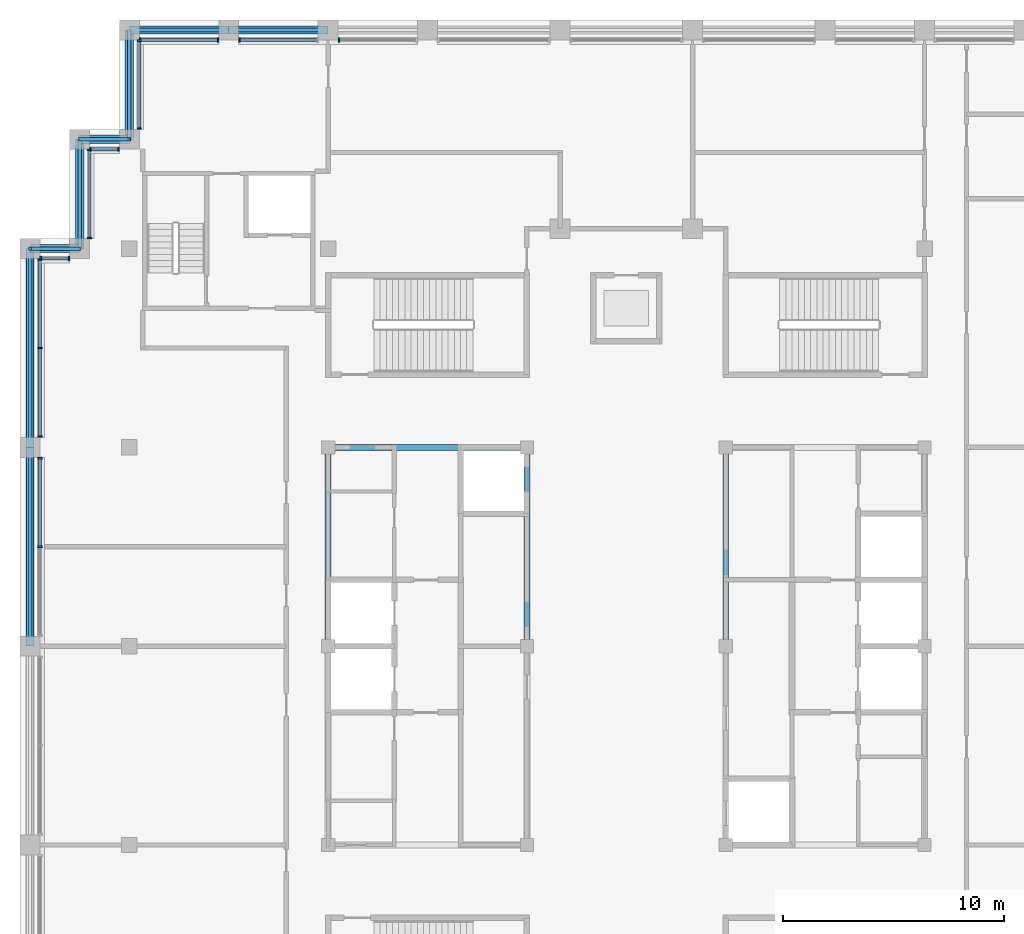
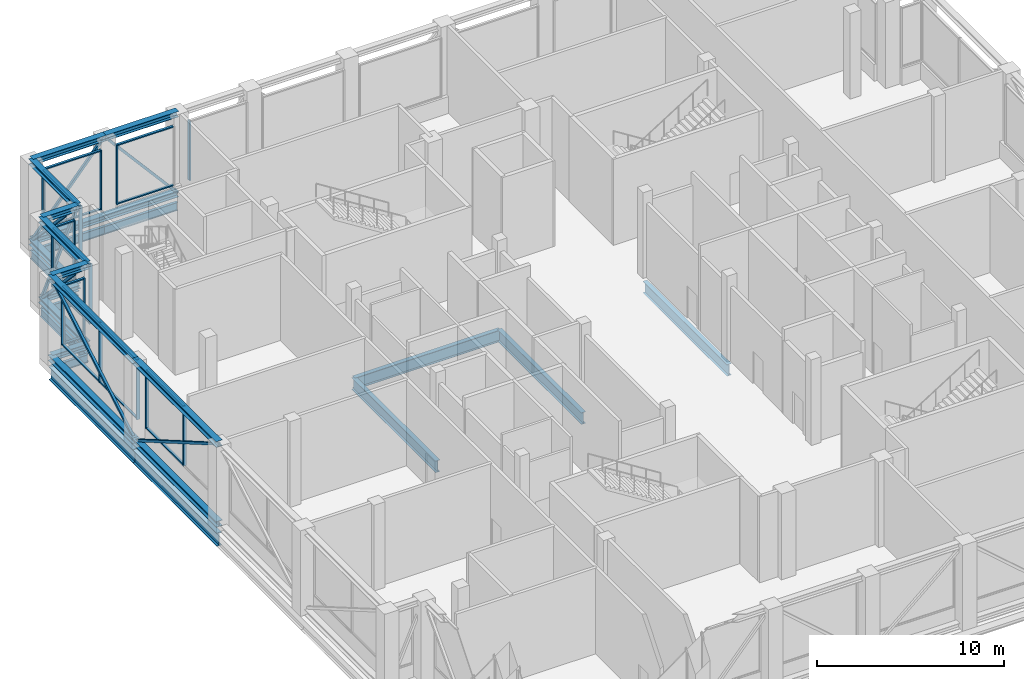
# One storey, part 6 of 17: 59 members, 12 beams, 9 elements without a shape of their own.
"""IFC4 building model written with IfcOpenShell, lengths in metres."""

from ifc_helpers import new_model, si_unit, direction, frame, origin, origin_2d, place, context, subcontext, project, spatial, rectangle, hollow_rectangle, i_section, extrude, material, layer, layer_set, material_profile, profile_set, type_object, element, aggregate, save


model = new_model("IFC4")

# Units and contexts
model_context = context("Model", 3, precision=1e-05, world=origin(), true_north=direction((0.0, 1.0)))
body_context = subcontext(model_context, "Body", "Model", "MODEL_VIEW")
ifc_project = project(units=[si_unit("LENGTHUNIT", "METRE"), si_unit("AREAUNIT", "SQUARE_METRE"), si_unit("VOLUMEUNIT", "CUBIC_METRE"), si_unit("PLANEANGLEUNIT", "RADIAN"), si_unit("MASSUNIT", "GRAM", prefix="KILO")], contexts=[model_context])

# Site, building, storey
site_placement = place(None, origin())
site = spatial("IfcSite", under=ifc_project, at=site_placement, CompositionType="ELEMENT")
building_placement = place(site_placement, origin())
building = spatial("IfcBuilding", under=site, at=building_placement, Name="Corbelhall Arena Tower", CompositionType="ELEMENT")
storey_placement = place(building_placement, frame((0.0, 0.0, 350.0)))
storey = spatial("IfcBuildingStorey", under=building, at=storey_placement, Name="L77", CompositionType="ELEMENT", Elevation=350.0)

# Curtain wall, members
ifc_material_1 = material(Name="Aluminium black anodised", Category="aluminium")
ifc_layer = layer(ifc_material_1, 0.199951171875)
ifc_layer_set = layer_set([ifc_layer], Name="EV-CW5 Sky band glazing")
curtain_wall_type = type_object("IfcCurtainWallType", Name="EV-CW5 Sky band glazing", PredefinedType="NOTDEFINED", material=ifc_layer_set)
curtain_wall_1_placement = place(storey_placement, origin())
curtain_wall_1 = element("IfcCurtainWall", 1, at=curtain_wall_1_placement, inside=storey, type_object=curtain_wall_type, Name="Curtain wall CW5B", PredefinedType="NOTDEFINED")
ifc_material_profile_1 = material_profile(ifc_material_1, rectangle(XDim=0.199951171875, YDim=0.074951171875, at=origin_2d()))
ifc_profile_set_1 = profile_set([ifc_material_profile_1], Name="Aluminium black anodised")
member_type_1 = type_object("IfcMemberType", Name="EV-CW5-MULLION", PredefinedType="MULLION", material=ifc_profile_set_1)
member_1_placement = place(storey_placement, frame((-25.237548828125, 17.550048828125, 1.10009765625), z_axis=(0.0, 0.0, 1.0), x_axis=(0.0, -1.0, 0.0)))
member_1 = element("IfcMember", 2, at=member_1_placement, type_object=member_type_1, Name="CW5B mullion 1", PredefinedType="MULLION", context=body_context, shape_type="SweptSolid", body=[
    extrude(rectangle(XDim=0.199951171875, YDim=0.074951171875, at=origin_2d()), origin(), (0.0, 0.0, 1.0), 3.8994140625),
])
member_2_placement = place(storey_placement, frame((-26.512451171875, 17.550048828125, 1.10009765625), z_axis=(0.0, 0.0, 1.0), x_axis=(0.0, -1.0, 0.0)))
member_2 = element("IfcMember", 3, at=member_2_placement, type_object=member_type_1, Name="CW5B mullion 2", PredefinedType="MULLION", context=body_context, shape_type="SweptSolid", body=[
    extrude(rectangle(XDim=0.199951171875, YDim=0.074951171875, at=origin_2d()), origin(), (0.0, 0.0, 1.0), 3.8994140625),
])

curtain_wall_2_placement = place(storey_placement, origin())
curtain_wall_2 = element("IfcCurtainWall", 4, at=curtain_wall_2_placement, inside=storey, type_object=curtain_wall_type, Name="Curtain wall CW5", PredefinedType="NOTDEFINED")
member_3_placement = place(storey_placement, frame((-26.550048828125, 17.512451171875, 1.10009765625), z_axis=(0.0, 0.0, 1.0), x_axis=(1.0, 0.0, 0.0)))
member_3 = element("IfcMember", 5, at=member_3_placement, type_object=member_type_1, Name="CW5 mullion 1", PredefinedType="MULLION", context=body_context, shape_type="SweptSolid", body=[
    extrude(rectangle(XDim=0.199951171875, YDim=0.074951171875, at=origin_2d()), origin(), (0.0, 0.0, 1.0), 3.8994140625),
])
member_4_placement = place(storey_placement, frame((-26.550048828125, 13.5, 1.10009765625), z_axis=(0.0, 0.0, 1.0), x_axis=(1.0, 0.0, 0.0)))
member_4 = element("IfcMember", 6, at=member_4_placement, type_object=member_type_1, Name="CW5 mullion 2", PredefinedType="MULLION", context=body_context, shape_type="SweptSolid", body=[
    extrude(rectangle(XDim=0.199951171875, YDim=0.074951171875, at=origin_2d()), origin(), (0.0, 0.0, 1.0), 3.8994140625),
])
member_5_placement = place(storey_placement, frame((-26.550048828125, 9.487548828125, 1.10009765625), z_axis=(0.0, 0.0, 1.0), x_axis=(1.0, 0.0, 0.0)))
member_5 = element("IfcMember", 7, at=member_5_placement, type_object=member_type_1, Name="CW5 mullion 3", PredefinedType="MULLION", context=body_context, shape_type="SweptSolid", body=[
    extrude(rectangle(XDim=0.199951171875, YDim=0.074951171875, at=origin_2d()), origin(), (0.0, 0.0, 1.0), 3.8994140625),
])

curtain_wall_3_placement = place(storey_placement, origin())
curtain_wall_3 = element("IfcCurtainWall", 8, at=curtain_wall_3_placement, inside=storey, type_object=curtain_wall_type, Name="Curtain wall CW5", PredefinedType="NOTDEFINED")
member_6_placement = place(storey_placement, frame((-26.550048828125, 8.512451171875, 1.10009765625), z_axis=(0.0, 0.0, 1.0), x_axis=(1.0, 0.0, 0.0)))
member_6 = element("IfcMember", 9, at=member_6_placement, type_object=member_type_1, Name="CW5 mullion 1", PredefinedType="MULLION", context=body_context, shape_type="SweptSolid", body=[
    extrude(rectangle(XDim=0.199951171875, YDim=0.074951171875, at=origin_2d()), origin(), (0.0, 0.0, 1.0), 3.8994140625),
])
member_7_placement = place(storey_placement, frame((-26.550048828125, 4.5, 1.10009765625), z_axis=(0.0, 0.0, 1.0), x_axis=(1.0, 0.0, 0.0)))
member_7 = element("IfcMember", 10, at=member_7_placement, type_object=member_type_1, Name="CW5 mullion 2", PredefinedType="MULLION", context=body_context, shape_type="SweptSolid", body=[
    extrude(rectangle(XDim=0.199951171875, YDim=0.074951171875, at=origin_2d()), origin(), (0.0, 0.0, 1.0), 3.8994140625),
])

# Curtain wall, member
curtain_wall_4_placement = place(storey_placement, origin())
curtain_wall_4 = element("IfcCurtainWall", 11, at=curtain_wall_4_placement, inside=storey, type_object=curtain_wall_type, Name="Curtain wall CW5A", PredefinedType="NOTDEFINED")
member_8_placement = place(storey_placement, frame((-13.012451171875, 27.449951171875, 1.10009765625), z_axis=(0.0, 0.0, 1.0), x_axis=(0.0, -1.0, 0.0)))
member_8 = element("IfcMember", 12, at=member_8_placement, type_object=member_type_1, Name="CW5A mullion 2", PredefinedType="MULLION", context=body_context, shape_type="SweptSolid", body=[
    extrude(rectangle(XDim=0.199951171875, YDim=0.074951171875, at=origin_2d()), origin(), (0.0, 0.0, 1.0), 3.8994140625),
])
aggregate(curtain_wall_4, [member_8])

curtain_wall_5_placement = place(storey_placement, origin())
curtain_wall_5 = element("IfcCurtainWall", 13, at=curtain_wall_5_placement, inside=storey, type_object=curtain_wall_type, Name="Curtain wall CW5A", PredefinedType="NOTDEFINED")
member_9_placement = place(storey_placement, frame((-17.512451171875, 27.449951171875, 1.10009765625), z_axis=(0.0, 0.0, 1.0), x_axis=(0.0, -1.0, 0.0)))
member_9 = element("IfcMember", 14, at=member_9_placement, type_object=member_type_1, Name="CW5A mullion 2", PredefinedType="MULLION", context=body_context, shape_type="SweptSolid", body=[
    extrude(rectangle(XDim=0.199951171875, YDim=0.074951171875, at=origin_2d()), origin(), (0.0, 0.0, 1.0), 3.8994140625),
])

# Curtain wall, members
curtain_wall_6_placement = place(storey_placement, origin())
curtain_wall_6 = element("IfcCurtainWall", 15, at=curtain_wall_6_placement, inside=storey, type_object=curtain_wall_type, Name="Curtain wall CW5A", PredefinedType="NOTDEFINED")
member_10_placement = place(storey_placement, frame((-18.487548828125, 27.449951171875, 1.10009765625), z_axis=(0.0, 0.0, 1.0), x_axis=(0.0, -1.0, 0.0)))
member_10 = element("IfcMember", 16, at=member_10_placement, type_object=member_type_1, Name="CW5A mullion 1", PredefinedType="MULLION", context=body_context, shape_type="SweptSolid", body=[
    extrude(rectangle(XDim=0.199951171875, YDim=0.074951171875, at=origin_2d()), origin(), (0.0, 0.0, 1.0), 3.8994140625),
])
member_11_placement = place(storey_placement, frame((-22.012451171875, 27.449951171875, 1.10009765625), z_axis=(0.0, 0.0, 1.0), x_axis=(0.0, -1.0, 0.0)))
member_11 = element("IfcMember", 17, at=member_11_placement, type_object=member_type_1, Name="CW5A mullion 2", PredefinedType="MULLION", context=body_context, shape_type="SweptSolid", body=[
    extrude(rectangle(XDim=0.199951171875, YDim=0.074951171875, at=origin_2d()), origin(), (0.0, 0.0, 1.0), 3.8994140625),
])

curtain_wall_7_placement = place(storey_placement, origin())
curtain_wall_7 = element("IfcCurtainWall", 18, at=curtain_wall_7_placement, inside=storey, type_object=curtain_wall_type, Name="Curtain wall CW5", PredefinedType="NOTDEFINED")
member_12_placement = place(storey_placement, frame((-22.050048828125, 27.41259765625, 1.10009765625), z_axis=(0.0, 0.0, 1.0), x_axis=(1.0, 0.0, 0.0)))
member_12 = element("IfcMember", 19, at=member_12_placement, type_object=member_type_1, Name="CW5 mullion 1", PredefinedType="MULLION", context=body_context, shape_type="SweptSolid", body=[
    extrude(rectangle(XDim=0.199951171875, YDim=0.074951171875, at=origin_2d()), origin(), (0.0, 0.0, 1.0), 3.8994140625),
])
member_13_placement = place(storey_placement, frame((-22.050048828125, 23.4375, 1.10009765625), z_axis=(0.0, 0.0, 1.0), x_axis=(1.0, 0.0, 0.0)))
member_13 = element("IfcMember", 20, at=member_13_placement, type_object=member_type_1, Name="CW5 mullion 2", PredefinedType="MULLION", context=body_context, shape_type="SweptSolid", body=[
    extrude(rectangle(XDim=0.199951171875, YDim=0.074951171875, at=origin_2d()), origin(), (0.0, 0.0, 1.0), 3.8994140625),
])

curtain_wall_8_placement = place(storey_placement, origin())
curtain_wall_8 = element("IfcCurtainWall", 21, at=curtain_wall_8_placement, inside=storey, type_object=curtain_wall_type, Name="Curtain wall CW5B", PredefinedType="NOTDEFINED")
member_14_placement = place(storey_placement, frame((-22.987548828125, 22.5, 1.10009765625), z_axis=(0.0, 0.0, 1.0), x_axis=(0.0, -1.0, 0.0)))
member_14 = element("IfcMember", 22, at=member_14_placement, type_object=member_type_1, Name="CW5B mullion 1", PredefinedType="MULLION", context=body_context, shape_type="SweptSolid", body=[
    extrude(rectangle(XDim=0.199951171875, YDim=0.074951171875, at=origin_2d()), origin(), (0.0, 0.0, 1.0), 3.8994140625),
])
member_15_placement = place(storey_placement, frame((-24.262451171875, 22.5, 1.10009765625), z_axis=(0.0, 0.0, 1.0), x_axis=(0.0, -1.0, 0.0)))
member_15 = element("IfcMember", 23, at=member_15_placement, type_object=member_type_1, Name="CW5B mullion 2", PredefinedType="MULLION", context=body_context, shape_type="SweptSolid", body=[
    extrude(rectangle(XDim=0.199951171875, YDim=0.074951171875, at=origin_2d()), origin(), (0.0, 0.0, 1.0), 3.8994140625),
])

curtain_wall_9_placement = place(storey_placement, origin())
curtain_wall_9 = element("IfcCurtainWall", 24, at=curtain_wall_9_placement, inside=storey, type_object=curtain_wall_type, Name="Curtain wall CW5", PredefinedType="NOTDEFINED")
member_16_placement = place(storey_placement, frame((-24.300048828125, 22.46240234375, 1.10009765625), z_axis=(0.0, 0.0, 1.0), x_axis=(1.0, 0.0, 0.0)))
member_16 = element("IfcMember", 25, at=member_16_placement, type_object=member_type_1, Name="CW5 mullion 1", PredefinedType="MULLION", context=body_context, shape_type="SweptSolid", body=[
    extrude(rectangle(XDim=0.199951171875, YDim=0.074951171875, at=origin_2d()), origin(), (0.0, 0.0, 1.0), 3.8994140625),
])
member_17_placement = place(storey_placement, frame((-24.300048828125, 18.487548828125, 1.10009765625), z_axis=(0.0, 0.0, 1.0), x_axis=(1.0, 0.0, 0.0)))
member_17 = element("IfcMember", 26, at=member_17_placement, type_object=member_type_1, Name="CW5 mullion 2", PredefinedType="MULLION", context=body_context, shape_type="SweptSolid", body=[
    extrude(rectangle(XDim=0.199951171875, YDim=0.074951171875, at=origin_2d()), origin(), (0.0, 0.0, 1.0), 3.8994140625),
])

# Member
ifc_material_profile_2 = material_profile(ifc_material_1, rectangle(XDim=0.14990234375, YDim=0.074951171875, at=origin_2d()))
ifc_profile_set_2 = profile_set([ifc_material_profile_2], Name="Aluminium black anodised")
member_type_2 = type_object("IfcMemberType", Name="EV-CW5-TRANSOM", PredefinedType="USERDEFINED", material=ifc_profile_set_2)
member_18_placement = place(storey_placement, frame((-25.27490234375, 17.550048828125, 1.137451171875), z_axis=(-1.0, 0.0, 0.0), x_axis=(0.0, -1.0, 0.0)))
member_18 = element("IfcMember", 27, at=member_18_placement, type_object=member_type_2, Name="CW5B transom 1.1", ObjectType="transom", PredefinedType="USERDEFINED", context=body_context, shape_type="SweptSolid", body=[
    extrude(rectangle(XDim=0.14990234375, YDim=0.074951171875, at=origin_2d()), origin(), (0.0, 0.0, 1.0), 1.2001953125),
])

member_19_placement = place(storey_placement, frame((-25.27490234375, 17.550048828125, 4.962158203125), z_axis=(-1.0, 0.0, 0.0), x_axis=(0.0, -1.0, 0.0)))
member_19 = element("IfcMember", 28, at=member_19_placement, type_object=member_type_2, Name="CW5B transom 1.2", ObjectType="transom", PredefinedType="USERDEFINED", context=body_context, shape_type="SweptSolid", body=[
    extrude(rectangle(XDim=0.14990234375, YDim=0.074951171875, at=origin_2d()), origin(), (0.0, 0.0, 1.0), 1.2001953125),
])

aggregate(curtain_wall_1, [member_1, member_2, member_18, member_19])

member_20_placement = place(storey_placement, frame((-26.550048828125, 17.47509765625, 1.137451171875), z_axis=(0.0, -1.0, 0.0), x_axis=(1.0, 0.0, 0.0)))
member_20 = element("IfcMember", 29, at=member_20_placement, type_object=member_type_2, Name="CW5 transom 1.1", ObjectType="transom", PredefinedType="USERDEFINED", context=body_context, shape_type="SweptSolid", body=[
    extrude(rectangle(XDim=0.14990234375, YDim=0.074951171875, at=origin_2d()), origin(), (0.0, 0.0, 1.0), 3.9375),
])

member_21_placement = place(storey_placement, frame((-26.550048828125, 17.47509765625, 4.962158203125), z_axis=(0.0, -1.0, 0.0), x_axis=(1.0, 0.0, 0.0)))
member_21 = element("IfcMember", 30, at=member_21_placement, type_object=member_type_2, Name="CW5 transom 1.2", ObjectType="transom", PredefinedType="USERDEFINED", context=body_context, shape_type="SweptSolid", body=[
    extrude(rectangle(XDim=0.14990234375, YDim=0.074951171875, at=origin_2d()), origin(), (0.0, 0.0, 1.0), 3.9375),
])

member_22_placement = place(storey_placement, frame((-26.550048828125, 13.46240234375, 1.137451171875), z_axis=(0.0, -1.0, 0.0), x_axis=(1.0, 0.0, 0.0)))
member_22 = element("IfcMember", 31, at=member_22_placement, type_object=member_type_2, Name="CW5 transom 2.1", ObjectType="transom", PredefinedType="USERDEFINED", context=body_context, shape_type="SweptSolid", body=[
    extrude(rectangle(XDim=0.14990234375, YDim=0.074951171875, at=origin_2d()), origin(), (0.0, 0.0, 1.0), 3.9375),
])

member_23_placement = place(storey_placement, frame((-26.550048828125, 13.46240234375, 4.962158203125), z_axis=(0.0, -1.0, 0.0), x_axis=(1.0, 0.0, 0.0)))
member_23 = element("IfcMember", 32, at=member_23_placement, type_object=member_type_2, Name="CW5 transom 2.2", ObjectType="transom", PredefinedType="USERDEFINED", context=body_context, shape_type="SweptSolid", body=[
    extrude(rectangle(XDim=0.14990234375, YDim=0.074951171875, at=origin_2d()), origin(), (0.0, 0.0, 1.0), 3.9375),
])

aggregate(curtain_wall_2, [member_3, member_4, member_5, member_20, member_21, member_22, member_23])

member_24_placement = place(storey_placement, frame((-26.550048828125, 8.47509765625, 1.137451171875), z_axis=(0.0, -1.0, 0.0), x_axis=(1.0, 0.0, 0.0)))
member_24 = element("IfcMember", 33, at=member_24_placement, type_object=member_type_2, Name="CW5 transom 1.1", ObjectType="transom", PredefinedType="USERDEFINED", context=body_context, shape_type="SweptSolid", body=[
    extrude(rectangle(XDim=0.14990234375, YDim=0.074951171875, at=origin_2d()), origin(), (0.0, 0.0, 1.0), 3.9375),
])

member_25_placement = place(storey_placement, frame((-26.550048828125, 8.47509765625, 4.962158203125), z_axis=(0.0, -1.0, 0.0), x_axis=(1.0, 0.0, 0.0)))
member_25 = element("IfcMember", 34, at=member_25_placement, type_object=member_type_2, Name="CW5 transom 1.2", ObjectType="transom", PredefinedType="USERDEFINED", context=body_context, shape_type="SweptSolid", body=[
    extrude(rectangle(XDim=0.14990234375, YDim=0.074951171875, at=origin_2d()), origin(), (0.0, 0.0, 1.0), 3.9375),
])

aggregate(curtain_wall_3, [member_6, member_7, member_24, member_25])

member_26_placement = place(storey_placement, frame((-14.02490234375, 27.449951171875, 1.137451171875), z_axis=(-1.0, 0.0, 0.0), x_axis=(0.0, -1.0, 0.0)))
member_26 = element("IfcMember", 35, at=member_26_placement, type_object=member_type_2, Name="CW5A transom 1.1", ObjectType="transom", PredefinedType="USERDEFINED", context=body_context, shape_type="SweptSolid", body=[
    extrude(rectangle(XDim=0.14990234375, YDim=0.074951171875, at=origin_2d()), origin(), (0.0, 0.0, 1.0), 3.4501953125),
])

member_27_placement = place(storey_placement, frame((-14.02490234375, 27.449951171875, 4.962158203125), z_axis=(-1.0, 0.0, 0.0), x_axis=(0.0, -1.0, 0.0)))
member_27 = element("IfcMember", 36, at=member_27_placement, type_object=member_type_2, Name="CW5A transom 1.2", ObjectType="transom", PredefinedType="USERDEFINED", context=body_context, shape_type="SweptSolid", body=[
    extrude(rectangle(XDim=0.14990234375, YDim=0.074951171875, at=origin_2d()), origin(), (0.0, 0.0, 1.0), 3.4501953125),
])

aggregate(curtain_wall_5, [member_9, member_26, member_27])

member_28_placement = place(storey_placement, frame((-18.52490234375, 27.449951171875, 1.137451171875), z_axis=(-1.0, 0.0, 0.0), x_axis=(0.0, -1.0, 0.0)))
member_28 = element("IfcMember", 37, at=member_28_placement, type_object=member_type_2, Name="CW5A transom 1.1", ObjectType="transom", PredefinedType="USERDEFINED", context=body_context, shape_type="SweptSolid", body=[
    extrude(rectangle(XDim=0.14990234375, YDim=0.074951171875, at=origin_2d()), origin(), (0.0, 0.0, 1.0), 3.4501953125),
])

member_29_placement = place(storey_placement, frame((-18.52490234375, 27.449951171875, 4.962158203125), z_axis=(-1.0, 0.0, 0.0), x_axis=(0.0, -1.0, 0.0)))
member_29 = element("IfcMember", 38, at=member_29_placement, type_object=member_type_2, Name="CW5A transom 1.2", ObjectType="transom", PredefinedType="USERDEFINED", context=body_context, shape_type="SweptSolid", body=[
    extrude(rectangle(XDim=0.14990234375, YDim=0.074951171875, at=origin_2d()), origin(), (0.0, 0.0, 1.0), 3.4501953125),
])

aggregate(curtain_wall_6, [member_10, member_11, member_28, member_29])

member_30_placement = place(storey_placement, frame((-22.050048828125, 27.375, 1.137451171875), z_axis=(0.0, -1.0, 0.0), x_axis=(1.0, 0.0, 0.0)))
member_30 = element("IfcMember", 39, at=member_30_placement, type_object=member_type_2, Name="CW5 transom 1.1", ObjectType="transom", PredefinedType="USERDEFINED", context=body_context, shape_type="SweptSolid", body=[
    extrude(rectangle(XDim=0.14990234375, YDim=0.074951171875, at=origin_2d()), origin(), (0.0, 0.0, 1.0), 3.89990234375),
])

member_31_placement = place(storey_placement, frame((-22.050048828125, 27.375, 4.962158203125), z_axis=(0.0, -1.0, 0.0), x_axis=(1.0, 0.0, 0.0)))
member_31 = element("IfcMember", 40, at=member_31_placement, type_object=member_type_2, Name="CW5 transom 1.2", ObjectType="transom", PredefinedType="USERDEFINED", context=body_context, shape_type="SweptSolid", body=[
    extrude(rectangle(XDim=0.14990234375, YDim=0.074951171875, at=origin_2d()), origin(), (0.0, 0.0, 1.0), 3.89990234375),
])

aggregate(curtain_wall_7, [member_12, member_13, member_30, member_31])

member_32_placement = place(storey_placement, frame((-23.02490234375, 22.5, 1.137451171875), z_axis=(-1.0, 0.0, 0.0), x_axis=(0.0, -1.0, 0.0)))
member_32 = element("IfcMember", 41, at=member_32_placement, type_object=member_type_2, Name="CW5B transom 1.1", ObjectType="transom", PredefinedType="USERDEFINED", context=body_context, shape_type="SweptSolid", body=[
    extrude(rectangle(XDim=0.14990234375, YDim=0.074951171875, at=origin_2d()), origin(), (0.0, 0.0, 1.0), 1.2001953125),
])

member_33_placement = place(storey_placement, frame((-23.02490234375, 22.5, 4.962158203125), z_axis=(-1.0, 0.0, 0.0), x_axis=(0.0, -1.0, 0.0)))
member_33 = element("IfcMember", 42, at=member_33_placement, type_object=member_type_2, Name="CW5B transom 1.2", ObjectType="transom", PredefinedType="USERDEFINED", context=body_context, shape_type="SweptSolid", body=[
    extrude(rectangle(XDim=0.14990234375, YDim=0.074951171875, at=origin_2d()), origin(), (0.0, 0.0, 1.0), 1.2001953125),
])

aggregate(curtain_wall_8, [member_14, member_15, member_32, member_33])

member_34_placement = place(storey_placement, frame((-24.300048828125, 22.425048828125, 1.137451171875), z_axis=(0.0, -1.0, 0.0), x_axis=(1.0, 0.0, 0.0)))
member_34 = element("IfcMember", 43, at=member_34_placement, type_object=member_type_2, Name="CW5 transom 1.1", ObjectType="transom", PredefinedType="USERDEFINED", context=body_context, shape_type="SweptSolid", body=[
    extrude(rectangle(XDim=0.14990234375, YDim=0.074951171875, at=origin_2d()), origin(), (0.0, 0.0, 1.0), 3.900146484375),
])

member_35_placement = place(storey_placement, frame((-24.300048828125, 22.425048828125, 4.962158203125), z_axis=(0.0, -1.0, 0.0), x_axis=(1.0, 0.0, 0.0)))
member_35 = element("IfcMember", 44, at=member_35_placement, type_object=member_type_2, Name="CW5 transom 1.2", ObjectType="transom", PredefinedType="USERDEFINED", context=body_context, shape_type="SweptSolid", body=[
    extrude(rectangle(XDim=0.14990234375, YDim=0.074951171875, at=origin_2d()), origin(), (0.0, 0.0, 1.0), 3.900146484375),
])

aggregate(curtain_wall_9, [member_16, member_17, member_34, member_35])

# Beams
ifc_material_2 = material(Name="Steel ASTM A992 Gr50", Category="steel")
ifc_material_profile_3 = material_profile(ifc_material_2, i_section(OverallWidth=0.2666015625, OverallDepth=0.761962890625, WebThickness=0.014404296875, FlangeThickness=0.021484375, at=origin_2d()))
ifc_profile_set_3 = profile_set([ifc_material_profile_3], Name="Steel ASTM A992 Gr50")
beam_type_1 = type_object("IfcBeamType", Name="ST-BEAM-W30x116", PredefinedType="BEAM", material=ifc_profile_set_3)
for number, where, z_axis, x_axis, name in (
    (45, (-13.5, 0.0, -0.791015625), (0.0, 1.0, 0.0), (-1.0, 0.0, 0.0), "Beam CEW 2"),
    (46, (-4.5, 0.0, -0.791015625), (0.0, 1.0, 0.0), (-1.0, 0.0, 0.0), "Beam CEW 4"),
    (47, (-13.5, 9.0, -0.791015625), (1.0, 0.0, 0.0), (0.0, 1.0, 0.0), "Beam CEW 6"),
    (48, (4.5, 0.0, -0.791015625), (0.0, 1.0, 0.0), (-1.0, 0.0, 0.0), "Beam CEE 8"),
):
    element("IfcBeam", number, at=place(storey_placement, frame(where, z_axis=z_axis, x_axis=x_axis)), inside=storey, type_object=beam_type_1, Name=name, PredefinedType="BEAM", context=body_context, shape_type="SweptSolid", body=[
        extrude(i_section(OverallWidth=0.2666015625, OverallDepth=0.761962890625, WebThickness=0.014404296875, FlangeThickness=0.021484375, at=origin_2d()), origin(), (0.0, 0.0, 1.0), 9.0),
    ])

# Members
ifc_material_profile_4 = material_profile(ifc_material_2, i_section(OverallWidth=0.373291015625, OverallDepth=0.373291015625, WebThickness=0.016357421875, FlangeThickness=0.026123046875, at=origin_2d()))
ifc_profile_set_4 = profile_set([ifc_material_profile_4], Name="Steel ASTM A992 Gr50")
member_type_3 = type_object("IfcMemberType", Name="ST-CHORD-W14x132", PredefinedType="CHORD", material=ifc_profile_set_4)
for number, where, z_axis, x_axis, name in (
    (49, (-18.0, 27.89990234375, 0.186767578125), (1.0, 0.0, 0.0), (0.0, 1.0, 0.0), "Truss chord BC 14"),
    (50, (-18.0, 27.89990234375, 5.412841796875), (1.0, 0.0, 0.0), (0.0, 1.0, 0.0), "Truss chord TC 14"),
    (51, (-22.5, 27.89990234375, 0.186767578125), (1.0, 0.0, 0.0), (0.0, 1.0, 0.0), "Truss chord BC 15"),
    (52, (-22.5, 27.89990234375, 5.412841796875), (1.0, 0.0, 0.0), (0.0, 1.0, 0.0), "Truss chord TC 15"),
):
    element("IfcMember", number, at=place(storey_placement, frame(where, z_axis=z_axis, x_axis=x_axis)), inside=storey, type_object=member_type_3, Name=name, PredefinedType="CHORD", context=body_context, shape_type="SweptSolid", body=[
        extrude(i_section(OverallWidth=0.373291015625, OverallDepth=0.373291015625, WebThickness=0.016357421875, FlangeThickness=0.026123046875, at=origin_2d()), origin(), (0.0, 0.0, 1.0), 4.5),
    ])
for number, where, z_axis, x_axis, name in (
    (53, (-27.0, 0.0, 0.186767578125), (0.0, 1.0, 0.0), (-1.0, 0.0, 0.0), "Truss chord BC 26"),
    (54, (-27.0, 0.0, 5.412841796875), (0.0, 1.0, 0.0), (-1.0, 0.0, 0.0), "Truss chord TC 26"),
    (55, (-27.0, 9.0, 0.186767578125), (0.0, 1.0, 0.0), (-1.0, 0.0, 0.0), "Truss chord BC 27"),
    (56, (-27.0, 9.0, 5.412841796875), (0.0, 1.0, 0.0), (-1.0, 0.0, 0.0), "Truss chord TC 27"),
):
    element("IfcMember", number, at=place(storey_placement, frame(where, z_axis=z_axis, x_axis=x_axis)), inside=storey, type_object=member_type_3, Name=name, PredefinedType="CHORD", context=body_context, shape_type="SweptSolid", body=[
        extrude(i_section(OverallWidth=0.373291015625, OverallDepth=0.373291015625, WebThickness=0.016357421875, FlangeThickness=0.026123046875, at=origin_2d()), origin(), (0.0, 0.0, 1.0), 9.0),
    ])
for number, where, z_axis, x_axis, name in (
    (57, (-27.0, 18.0, 0.186767578125), (1.0, 0.0, 0.0), (0.0, 1.0, 0.0), "Truss chord BC 28"),
    (58, (-27.0, 18.0, 5.412841796875), (1.0, 0.0, 0.0), (0.0, 1.0, 0.0), "Truss chord TC 28"),
):
    element("IfcMember", number, at=place(storey_placement, frame(where, z_axis=z_axis, x_axis=x_axis)), inside=storey, type_object=member_type_3, Name=name, PredefinedType="CHORD", context=body_context, shape_type="SweptSolid", body=[
        extrude(i_section(OverallWidth=0.373291015625, OverallDepth=0.373291015625, WebThickness=0.016357421875, FlangeThickness=0.026123046875, at=origin_2d()), origin(), (0.0, 0.0, 1.0), 2.25),
    ])
for number, where, z_axis, x_axis, name in (
    (59, (-22.5, 22.949951171875, 0.186767578125), (0.0, 1.0, 0.0), (-1.0, 0.0, 0.0), "Truss chord BC 34"),
    (60, (-22.5, 22.949951171875, 5.412841796875), (0.0, 1.0, 0.0), (-1.0, 0.0, 0.0), "Truss chord TC 34"),
):
    element("IfcMember", number, at=place(storey_placement, frame(where, z_axis=z_axis, x_axis=x_axis)), inside=storey, type_object=member_type_3, Name=name, PredefinedType="CHORD", context=body_context, shape_type="SweptSolid", body=[
        extrude(i_section(OverallWidth=0.373291015625, OverallDepth=0.373291015625, WebThickness=0.016357421875, FlangeThickness=0.026123046875, at=origin_2d()), origin(), (0.0, 0.0, 1.0), 4.949951171875),
    ])
for number, where, z_axis, x_axis, name in (
    (61, (-24.75, 22.949951171875, 0.186767578125), (1.0, 0.0, 0.0), (0.0, 1.0, 0.0), "Truss chord BC 35"),
    (62, (-24.75, 22.949951171875, 5.412841796875), (1.0, 0.0, 0.0), (0.0, 1.0, 0.0), "Truss chord TC 35"),
):
    element("IfcMember", number, at=place(storey_placement, frame(where, z_axis=z_axis, x_axis=x_axis)), inside=storey, type_object=member_type_3, Name=name, PredefinedType="CHORD", context=body_context, shape_type="SweptSolid", body=[
        extrude(i_section(OverallWidth=0.373291015625, OverallDepth=0.373291015625, WebThickness=0.016357421875, FlangeThickness=0.026123046875, at=origin_2d()), origin(), (0.0, 0.0, 1.0), 2.25),
    ])
for number, where, z_axis, x_axis, name in (
    (63, (-24.75, 18.0, 0.186767578125), (0.0, 1.0, 0.0), (-1.0, 0.0, 0.0), "Truss chord BC 36"),
    (64, (-24.75, 18.0, 5.412841796875), (0.0, 1.0, 0.0), (-1.0, 0.0, 0.0), "Truss chord TC 36"),
):
    element("IfcMember", number, at=place(storey_placement, frame(where, z_axis=z_axis, x_axis=x_axis)), inside=storey, type_object=member_type_3, Name=name, PredefinedType="CHORD", context=body_context, shape_type="SweptSolid", body=[
        extrude(i_section(OverallWidth=0.373291015625, OverallDepth=0.373291015625, WebThickness=0.016357421875, FlangeThickness=0.026123046875, at=origin_2d()), origin(), (0.0, 0.0, 1.0), 4.949951171875),
    ])

# Beams
ifc_material_profile_5 = material_profile(ifc_material_2, i_section(OverallWidth=0.16650390625, OverallDepth=0.535888671875, WebThickness=0.01025390625, FlangeThickness=0.0166015625, at=origin_2d()))
ifc_profile_set_5 = profile_set([ifc_material_profile_5], Name="Steel ASTM A992 Gr50")
beam_type_2 = type_object("IfcBeamType", Name="ST-SPANDREL-W21x57", PredefinedType="SPANDREL", material=ifc_profile_set_5)
for number, where, z_axis, x_axis, name in (
    (65, (-18.0, 27.89990234375, -0.677978515625), (1.0, 0.0, 0.0), (0.0, 1.0, 0.0), "Beam SP 14"),
    (66, (-22.5, 27.89990234375, -0.677978515625), (1.0, 0.0, 0.0), (0.0, 1.0, 0.0), "Beam SP 15"),
):
    element("IfcBeam", number, at=place(storey_placement, frame(where, z_axis=z_axis, x_axis=x_axis)), inside=storey, type_object=beam_type_2, Name=name, PredefinedType="SPANDREL", context=body_context, shape_type="SweptSolid", body=[
        extrude(i_section(OverallWidth=0.16650390625, OverallDepth=0.535888671875, WebThickness=0.01025390625, FlangeThickness=0.0166015625, at=origin_2d()), origin(), (0.0, 0.0, 1.0), 4.5),
    ])
beam_1_placement = place(storey_placement, frame((-27.0, 18.0, -0.677978515625), z_axis=(1.0, 0.0, 0.0), x_axis=(0.0, 1.0, 0.0)))
element("IfcBeam", 67, at=beam_1_placement, inside=storey, type_object=beam_type_2, Name="Beam SP 28", PredefinedType="SPANDREL", context=body_context, shape_type="SweptSolid", body=[
    extrude(i_section(OverallWidth=0.16650390625, OverallDepth=0.535888671875, WebThickness=0.01025390625, FlangeThickness=0.0166015625, at=origin_2d()), origin(), (0.0, 0.0, 1.0), 2.25),
])
beam_2_placement = place(storey_placement, frame((-22.5, 22.949951171875, -0.677978515625), z_axis=(0.0, 1.0, 0.0), x_axis=(-1.0, 0.0, 0.0)))
element("IfcBeam", 68, at=beam_2_placement, inside=storey, type_object=beam_type_2, Name="Beam SP 34", PredefinedType="SPANDREL", context=body_context, shape_type="SweptSolid", body=[
    extrude(i_section(OverallWidth=0.16650390625, OverallDepth=0.535888671875, WebThickness=0.01025390625, FlangeThickness=0.0166015625, at=origin_2d()), origin(), (0.0, 0.0, 1.0), 4.949951171875),
])
beam_3_placement = place(storey_placement, frame((-24.75, 22.949951171875, -0.677978515625), z_axis=(1.0, 0.0, 0.0), x_axis=(0.0, 1.0, 0.0)))
element("IfcBeam", 69, at=beam_3_placement, inside=storey, type_object=beam_type_2, Name="Beam SP 35", PredefinedType="SPANDREL", context=body_context, shape_type="SweptSolid", body=[
    extrude(i_section(OverallWidth=0.16650390625, OverallDepth=0.535888671875, WebThickness=0.01025390625, FlangeThickness=0.0166015625, at=origin_2d()), origin(), (0.0, 0.0, 1.0), 2.25),
])
beam_4_placement = place(storey_placement, frame((-24.75, 18.0, -0.677978515625), z_axis=(0.0, 1.0, 0.0), x_axis=(-1.0, 0.0, 0.0)))
element("IfcBeam", 70, at=beam_4_placement, inside=storey, type_object=beam_type_2, Name="Beam SP 36", PredefinedType="SPANDREL", context=body_context, shape_type="SweptSolid", body=[
    extrude(i_section(OverallWidth=0.16650390625, OverallDepth=0.535888671875, WebThickness=0.01025390625, FlangeThickness=0.0166015625, at=origin_2d()), origin(), (0.0, 0.0, 1.0), 4.949951171875),
])
ifc_material_profile_6 = material_profile(ifc_material_2, i_section(OverallWidth=0.2919921875, OverallDepth=0.845703125, WebThickness=0.015380859375, FlangeThickness=0.0244140625, at=origin_2d()))
ifc_profile_set_6 = profile_set([ifc_material_profile_6], Name="Steel ASTM A992 Gr50")
beam_type_3 = type_object("IfcBeamType", Name="ST-SPANDREL-W33x141", PredefinedType="SPANDREL", material=ifc_profile_set_6)
for number, where, z_axis, x_axis, name in (
    (71, (-27.0, 0.0, -0.8330078125), (0.0, 1.0, 0.0), (-1.0, 0.0, 0.0), "Beam SP 26"),
    (72, (-27.0, 9.0, -0.8330078125), (0.0, 1.0, 0.0), (-1.0, 0.0, 0.0), "Beam SP 27"),
):
    element("IfcBeam", number, at=place(storey_placement, frame(where, z_axis=z_axis, x_axis=x_axis)), inside=storey, type_object=beam_type_3, Name=name, PredefinedType="SPANDREL", context=body_context, shape_type="SweptSolid", body=[
        extrude(i_section(OverallWidth=0.2919921875, OverallDepth=0.845703125, WebThickness=0.015380859375, FlangeThickness=0.0244140625, at=origin_2d()), origin(), (0.0, 0.0, 1.0), 9.0),
    ])

# Members
ifc_material_3 = material(Name="Steel ASTM A500 Gr C", Category="steel")
ifc_material_profile_7 = material_profile(ifc_material_3, hollow_rectangle(XDim=0.15234375, YDim=0.15234375, WallThickness=0.0087890625, at=origin_2d()))
ifc_profile_set_7 = profile_set([ifc_material_profile_7], Name="Steel ASTM A500 Gr C")
member_type_4 = type_object("IfcMemberType", Name="ST-STRUT-HSS6x6x3/8", PredefinedType="STRUT", material=ifc_profile_set_7)
for number, where, z_axis, x_axis, name in (
    (73, (-13.5, 27.89990234375, 0.186767578125), (-0.65250393695, 0.0, 0.757785333894), (0.0, -1.0, 0.0), "Truss diagonal 14"),
    (74, (-22.5, 27.89990234375, 0.186767578125), (0.65250393695, 0.0, 0.757785333894), (0.0, 1.0, 0.0), "Truss diagonal 15"),
):
    element("IfcMember", number, at=place(storey_placement, frame(where, z_axis=z_axis, x_axis=x_axis)), inside=storey, type_object=member_type_4, Name=name, PredefinedType="STRUT", context=body_context, shape_type="SweptSolid", body=[
        extrude(hollow_rectangle(XDim=0.15234375, YDim=0.15234375, WallThickness=0.0087890625, at=origin_2d()), origin(), (0.0, 0.0, 1.0), 6.896484375),
    ])
for number, where, z_axis, x_axis, name in (
    (75, (-27.0, 9.0, 0.186767578125), (0.0, -0.864777773896, 0.50215475879), (1.0, 0.0, 0.0), "Truss diagonal 26"),
    (76, (-27.0, 9.0, 0.186767578125), (0.0, 0.864777773896, 0.50215475879), (-1.0, 0.0, 0.0), "Truss diagonal 27"),
):
    element("IfcMember", number, at=place(storey_placement, frame(where, z_axis=z_axis, x_axis=x_axis)), inside=storey, type_object=member_type_4, Name=name, PredefinedType="STRUT", context=body_context, shape_type="SweptSolid", body=[
        extrude(hollow_rectangle(XDim=0.15234375, YDim=0.15234375, WallThickness=0.0087890625, at=origin_2d()), origin(), (0.0, 0.0, 1.0), 10.4072265625),
    ])
member_36_placement = place(storey_placement, frame((-24.75, 18.0, 0.186767578125), z_axis=(-0.395441256722, 0.0, 0.918491269682), x_axis=(0.0, -1.0, 0.0)))
element("IfcMember", 77, at=member_36_placement, inside=storey, type_object=member_type_4, Name="Truss diagonal 28", PredefinedType="STRUT", context=body_context, shape_type="SweptSolid", body=[
    extrude(hollow_rectangle(XDim=0.15234375, YDim=0.15234375, WallThickness=0.0087890625, at=origin_2d()), origin(), (0.0, 0.0, 1.0), 5.68994140625),
])
member_37_placement = place(storey_placement, frame((-22.5, 27.89990234375, 0.186767578125), z_axis=(0.0, -0.687666560631, 0.72602665336), x_axis=(1.0, 0.0, 0.0)))
element("IfcMember", 78, at=member_37_placement, inside=storey, type_object=member_type_4, Name="Truss diagonal 34", PredefinedType="STRUT", context=body_context, shape_type="SweptSolid", body=[
    extrude(hollow_rectangle(XDim=0.15234375, YDim=0.15234375, WallThickness=0.0087890625, at=origin_2d()), origin(), (0.0, 0.0, 1.0), 7.1982421875),
])
member_38_placement = place(storey_placement, frame((-24.75, 22.949951171875, 0.186767578125), z_axis=(0.395441256722, 0.0, 0.918491269682), x_axis=(0.0, 1.0, 0.0)))
element("IfcMember", 79, at=member_38_placement, inside=storey, type_object=member_type_4, Name="Truss diagonal 35", PredefinedType="STRUT", context=body_context, shape_type="SweptSolid", body=[
    extrude(hollow_rectangle(XDim=0.15234375, YDim=0.15234375, WallThickness=0.0087890625, at=origin_2d()), origin(), (0.0, 0.0, 1.0), 5.68994140625),
])
member_39_placement = place(storey_placement, frame((-24.75, 22.949951171875, 0.186767578125), z_axis=(0.0, -0.687666560631, 0.72602665336), x_axis=(1.0, 0.0, 0.0)))
element("IfcMember", 80, at=member_39_placement, inside=storey, type_object=member_type_4, Name="Truss diagonal 36", PredefinedType="STRUT", context=body_context, shape_type="SweptSolid", body=[
    extrude(hollow_rectangle(XDim=0.15234375, YDim=0.15234375, WallThickness=0.0087890625, at=origin_2d()), origin(), (0.0, 0.0, 1.0), 7.1982421875),
])

save(model, "model.ifc")
